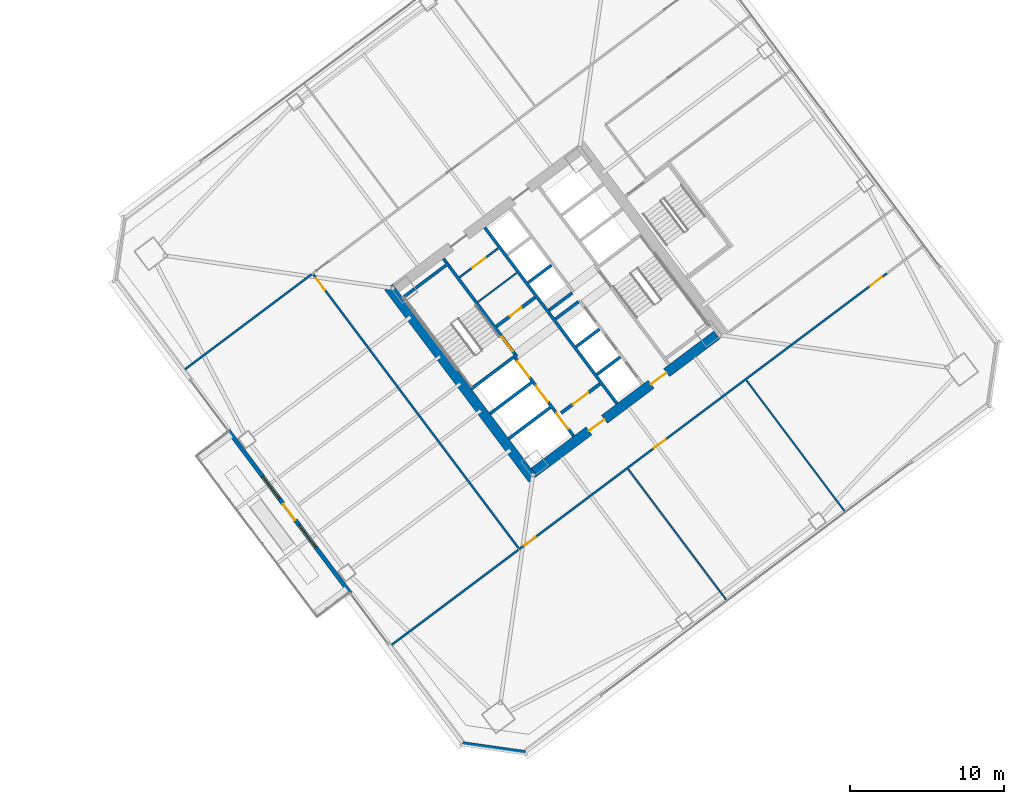
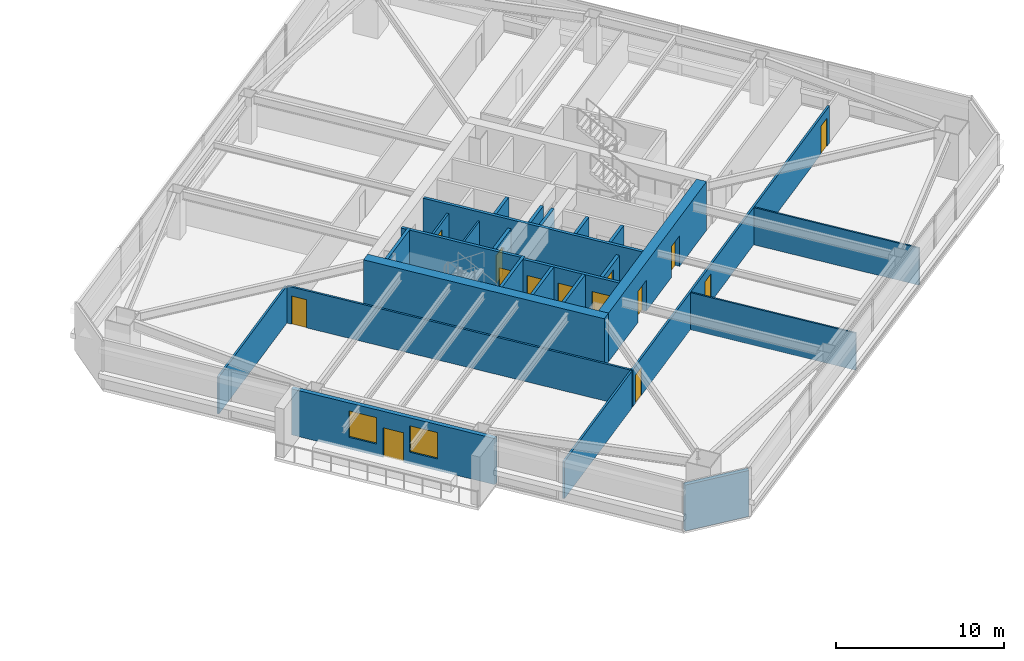
# One storey, part 38 of 48: 26 walls, 14 doors, 2 windows, 16 openings.
"""IFC4 building model written with IfcOpenShell, lengths in metres."""

from ifc_helpers import new_model, si_unit, direction, frame, frame_2d, origin, place, context, subcontext, project, spatial, rectangle, extrude, material, layer, layer_set, type_object, element, fill, save


model = new_model("IFC4")

# Units and contexts
model_context = context("Model", 3, precision=1e-05, world=origin(), true_north=direction((0.0, 1.0)))
body_context = subcontext(model_context, "Body", "Model", "MODEL_VIEW")
ifc_project = project(units=[si_unit("LENGTHUNIT", "METRE"), si_unit("AREAUNIT", "SQUARE_METRE"), si_unit("VOLUMEUNIT", "CUBIC_METRE"), si_unit("PLANEANGLEUNIT", "RADIAN"), si_unit("MASSUNIT", "GRAM", prefix="KILO")], contexts=[model_context])

# Site, building, storey
site_placement = place(None, origin())
site = spatial("IfcSite", under=ifc_project, at=site_placement, CompositionType="ELEMENT")
building_placement = place(site_placement, origin())
building = spatial("IfcBuilding", under=site, at=building_placement, Name="Tashvorn Skyway Center", CompositionType="ELEMENT")
storey_placement = place(building_placement, frame((0.0, 0.0, 56.550048828125)))
storey = spatial("IfcBuildingStorey", under=building, at=storey_placement, Name="L14", CompositionType="ELEMENT", Elevation=56.550048828125)

# Wall
ifc_material_1 = material(Name="Concrete C60/75", Category="concrete")
ifc_layer_1 = layer(ifc_material_1, 0.64990234375)
ifc_layer_set_1 = layer_set([ifc_layer_1], Name="Concrete C60/75")
wall_type_1 = type_object("IfcWallType", Name="WALL-CORE-650", PredefinedType="SHEAR", material=ifc_layer_set_1)
wall_1_placement = place(storey_placement, frame((112.47607421875, 21.10693359375, 0.0), z_axis=(0.0, 0.0, 1.0), x_axis=(-0.600005007985, 0.799996243986, 0.0)))
element("IfcWall", 1, at=wall_1_placement, inside=storey, type_object=wall_type_1, Name="Tower 2 L14 West Core Shear Wall", PredefinedType="SHEAR", context=body_context, shape_type="SweptSolid", body=[
    extrude(rectangle(XDim=15.60009765625, YDim=0.64990234375, at=frame_2d((7.800048828125, 0.0))), origin(), (0.0, 0.0, 1.0), 3.550048828125),
])

# Wall, openings, doors
wall_2_placement = place(storey_placement, frame((124.428955078125, 30.47802734375, 0.0), z_axis=(0.0, 0.0, 1.0), x_axis=(-0.799998028465, -0.600002628705, 0.0)))
wall_2 = element("IfcWall", 2, at=wall_2_placement, inside=storey, type_object=wall_type_1, Name="Tower 2 L14 South Core Shear Wall", PredefinedType="SHEAR", context=body_context, shape_type="SweptSolid", body=[
    extrude(rectangle(XDim=14.85986328125, YDim=0.64990234375, at=frame_2d((7.429931640625, 0.0))), origin(), (0.0, 0.0, 1.0), 3.550048828125),
])
opening_1_placement = place(wall_2_placement, frame((9.1298828125, 0.0, 0.0)))
opening_1 = element("IfcOpeningElement", 3, at=opening_1_placement, cuts=wall_2, Name="Opening D-FFL-1250", PredefinedType="OPENING", context=body_context, shape_type="SweptSolid", body=[
    extrude(rectangle(XDim=1.25, YDim=2.25, at=frame_2d((0.625, 1.125))), frame((0.0, 0.3349609375, 0.0), z_axis=(0.0, -1.0, 0.0), x_axis=(1.0, 0.0, 0.0)), (0.0, 0.0, 1.0), 0.669921875),
])
opening_2_placement = place(wall_2_placement, frame((4.080078125, 0.0, 0.0)))
opening_2 = element("IfcOpeningElement", 4, at=opening_2_placement, cuts=wall_2, Name="Opening D-FFL-1250", PredefinedType="OPENING", context=body_context, shape_type="SweptSolid", body=[
    extrude(rectangle(XDim=1.25, YDim=2.25, at=frame_2d((0.625, 1.125))), frame((0.0, 0.3349609375, 0.0), z_axis=(0.0, -1.0, 0.0), x_axis=(1.0, 0.0, 0.0)), (0.0, 0.0, 1.0), 0.669921875),
])
ifc_material_2 = material(Name="Hollow galvanized steel fire door assembly", Category="steel")
door_type_1 = type_object("IfcDoorType", Name="DOOR-FFL-1250", OperationType="NOTDEFINED", PredefinedType="DOOR", material=ifc_material_2)
door_1_placement = place(opening_1_placement, origin())
door_1 = element("IfcDoor", 5, at=door_1_placement, inside=storey, type_object=door_type_1, Name="Tower 2 L14 Core South Firefighting Exit Door", OperationType="SINGLE_SWING_LEFT", OverallHeight=2.25, OverallWidth=1.25, PredefinedType="DOOR", context=body_context, shape_type="SweptSolid", body=[
    extrude(rectangle(XDim=1.25, YDim=2.25, at=frame_2d((0.625, 1.125))), frame((0.0, 0.02490234375, 0.0), z_axis=(0.0, -1.0, 0.0), x_axis=(1.0, 0.0, 0.0)), (0.0, 0.0, 1.0), 0.050048828125),
])
fill(opening_1, door_1)
door_2_placement = place(opening_2_placement, origin())
door_2 = element("IfcDoor", 6, at=door_2_placement, inside=storey, type_object=door_type_1, Name="Tower 2 L14 Core South Lift Lobby Door", OperationType="SINGLE_SWING_RIGHT", OverallHeight=2.25, OverallWidth=1.25, PredefinedType="DOOR", context=body_context, shape_type="SweptSolid", body=[
    extrude(rectangle(XDim=1.25, YDim=2.25, at=frame_2d((0.625, 1.125))), frame((0.0, 0.02490234375, 0.0), z_axis=(0.0, -1.0, 0.0), x_axis=(1.0, 0.0, 0.0)), (0.0, 0.0, 1.0), 0.050048828125),
])
fill(opening_2, door_2)

# Wall, openings, door, windows
ifc_material_3 = material(Name="Precast concrete C40/50", Category="concrete")
ifc_layer_2 = layer(ifc_material_3, 0.280029296875)
ifc_layer_set_2 = layer_set([ifc_layer_2], Name="Precast concrete C40/50")
wall_type_2 = type_object("IfcWallType", Name="WALL-EXT-280", PredefinedType="SOLIDWALL", material=ifc_layer_set_2)
wall_3_placement = place(storey_placement, frame((100.615966796875, 13.7119140625, 0.0), z_axis=(0.0, 0.0, 1.0), x_axis=(-0.599994081423, 0.800004438899, 0.0)))
wall_3 = element("IfcWall", 7, at=wall_3_placement, inside=storey, type_object=wall_type_2, Name="Tower 2 L14 West Sky Garden Loggia Wall", PredefinedType="SOLIDWALL", context=body_context, shape_type="SweptSolid", body=[
    extrude(rectangle(XDim=13.199951171875, YDim=0.280029296875, at=frame_2d((6.60009765625, 0.0))), origin(), (0.0, 0.0, 1.0), 3.349853515625),
])
opening_3_placement = place(wall_3_placement, frame((5.949951171875, 0.0, 0.0)))
opening_3 = element("IfcOpeningElement", 8, at=opening_3_placement, cuts=wall_3, Name="Opening D-TER-1300", PredefinedType="OPENING", context=body_context, shape_type="SweptSolid", body=[
    extrude(rectangle(XDim=1.300048828125, YDim=2.14990234375, at=frame_2d((0.64990234375, 1.074951171875))), frame((0.0, 0.14990234375, 0.0), z_axis=(0.0, -1.0, 0.0), x_axis=(1.0, 0.0, 0.0)), (0.0, 0.0, 1.0), 0.300048828125),
])
opening_4_placement = place(wall_3_placement, frame((3.73193359375, 0.0, 0.85009765625)))
opening_4 = element("IfcOpeningElement", 9, at=opening_4_placement, cuts=wall_3, Name="Opening WIN-1800", PredefinedType="OPENING", context=body_context, shape_type="SweptSolid", body=[
    extrude(rectangle(XDim=1.800048828125, YDim=1.919921875, at=frame_2d((0.89990234375, 0.9599609375))), frame((0.0, 0.14990234375, 0.0), z_axis=(0.0, -1.0, 0.0), x_axis=(1.0, 0.0, 0.0)), (0.0, 0.0, 1.0), 0.300048828125),
])
opening_5_placement = place(wall_3_placement, frame((7.66796875, 0.0, 0.85009765625)))
opening_5 = element("IfcOpeningElement", 10, at=opening_5_placement, cuts=wall_3, Name="Opening WIN-1800", PredefinedType="OPENING", context=body_context, shape_type="SweptSolid", body=[
    extrude(rectangle(XDim=1.800048828125, YDim=1.919921875, at=frame_2d((0.89990234375, 0.9599609375))), frame((0.0, 0.14990234375, 0.0), z_axis=(0.0, -1.0, 0.0), x_axis=(1.0, 0.0, 0.0)), (0.0, 0.0, 1.0), 0.300048828125),
])
ifc_material_4 = material(Name="Thermally broken bronze-anodized aluminium 6063-T6", Category="aluminium")
door_type_2 = type_object("IfcDoorType", Name="DOOR-TERR-1300", OperationType="NOTDEFINED", PredefinedType="DOOR", material=ifc_material_4)
door_3_placement = place(opening_3_placement, origin())
door_3 = element("IfcDoor", 11, at=door_3_placement, inside=storey, type_object=door_type_2, Name="Tower 2 L14 Sky Garden Access Door", OperationType="SINGLE_SWING_LEFT", OverallHeight=2.14990234375, OverallWidth=1.300048828125, PredefinedType="DOOR", context=body_context, shape_type="SweptSolid", body=[
    extrude(rectangle(XDim=1.300048828125, YDim=2.14990234375, at=frame_2d((0.64990234375, 1.074951171875))), frame((0.0, 0.02490234375, 0.0), z_axis=(0.0, -1.0, 0.0), x_axis=(1.0, 0.0, 0.0)), (0.0, 0.0, 1.0), 0.050048828125),
])
fill(opening_3, door_3)
ifc_material_5 = material(Name="Low-E solar-control double insulating safety glass", Category="glass")
window_type = type_object("IfcWindowType", Name="WIN-TERR-1800", PartitioningType="SINGLE_PANEL", PredefinedType="WINDOW", material=ifc_material_5)
window_1_placement = place(opening_4_placement, origin())
window_1 = element("IfcWindow", 12, at=window_1_placement, inside=storey, type_object=window_type, Name="Tower 2 L14 Sky Garden Window", OverallHeight=1.919921875, OverallWidth=1.800048828125, PartitioningType="SINGLE_PANEL", PredefinedType="WINDOW", context=body_context, shape_type="SweptSolid", body=[
    extrude(rectangle(XDim=1.800048828125, YDim=1.919921875, at=frame_2d((0.89990234375, 0.9599609375))), frame((0.0, 0.030029296875, 0.0), z_axis=(0.0, -1.0, 0.0), x_axis=(1.0, 0.0, 0.0)), (0.0, 0.0, 1.0), 0.06005859375),
])
fill(opening_4, window_1)
window_2_placement = place(opening_5_placement, origin())
window_2 = element("IfcWindow", 13, at=window_2_placement, inside=storey, type_object=window_type, Name="Tower 2 L14 Sky Garden Second Window", OverallHeight=1.919921875, OverallWidth=1.800048828125, PartitioningType="SINGLE_PANEL", PredefinedType="WINDOW", context=body_context, shape_type="SweptSolid", body=[
    extrude(rectangle(XDim=1.800048828125, YDim=1.919921875, at=frame_2d((0.89990234375, 0.9599609375))), frame((0.0, 0.030029296875, 0.0), z_axis=(0.0, -1.0, 0.0), x_axis=(1.0, 0.0, 0.0)), (0.0, 0.0, 1.0), 0.06005859375),
])
fill(opening_5, window_2)

# Wall
wall_4_placement = place(storey_placement, frame((111.97998046875, 3.360107421875, 0.0), z_axis=(0.0, 0.0, 1.0), x_axis=(-0.989955445613, 0.14137968631, 0.0)))
element("IfcWall", 14, at=wall_4_placement, inside=storey, type_object=wall_type_2, Name="Tower 2 L14 SW Precast Chamfer Wall", PredefinedType="SOLIDWALL", context=body_context, shape_type="SweptSolid", body=[
    extrude(rectangle(XDim=4.101318359375, YDim=0.280029296875, at=frame_2d((2.05078125, 0.0))), origin(), (0.0, 0.0, 1.0), 3.349853515625),
])

# Wall, opening, door
ifc_material_6 = material(Name="Concrete C40/50", Category="concrete")
ifc_layer_3 = layer(ifc_material_6, 0.219970703125)
ifc_layer_set_3 = layer_set([ifc_layer_3], Name="Concrete C40/50")
wall_type_3 = type_object("IfcWallType", Name="WALL-FFL-220", PredefinedType="SOLIDWALL", material=ifc_layer_set_3)
wall_5_placement = place(storey_placement, frame((110.10400390625, 31.028076171875, 0.0), z_axis=(0.0, 0.0, 1.0), x_axis=(0.800018601094, 0.59997519774, 0.0)))
wall_5 = element("IfcWall", 15, at=wall_5_placement, inside=storey, type_object=wall_type_3, Name="Tower 2 L14 Firefighting Lobby North Wall", PredefinedType="SOLIDWALL", context=body_context, shape_type="SweptSolid", body=[
    extrude(rectangle(XDim=3.14990234375, YDim=0.219970703125, at=frame_2d((1.574951171875, 0.0))), origin(), (0.0, 0.0, 1.0), 2.702880859375),
])
opening_6_placement = place(wall_5_placement, frame((1.10009765625, 0.0, 0.0)))
opening_6 = element("IfcOpeningElement", 16, at=opening_6_placement, cuts=wall_5, Name="Opening D-RT-950", PredefinedType="OPENING", context=body_context, shape_type="SweptSolid", body=[
    extrude(rectangle(XDim=0.949951171875, YDim=2.050048828125, at=frame_2d((0.47509765625, 1.02490234375))), frame((0.0, 0.119873046875, 0.0), z_axis=(0.0, -1.0, 0.0), x_axis=(1.0, 0.0, 0.0)), (0.0, 0.0, 1.0), 0.239990234375),
])
door_type_3 = type_object("IfcDoorType", Name="DOOR-RATED-950", OperationType="NOTDEFINED", PredefinedType="DOOR", material=ifc_material_2)
door_4_placement = place(opening_6_placement, origin())
door_4 = element("IfcDoor", 17, at=door_4_placement, inside=storey, type_object=door_type_3, Name="Tower 2 L14 Core Linen Store Door", OperationType="SINGLE_SWING_LEFT", OverallHeight=2.050048828125, OverallWidth=0.949951171875, PredefinedType="DOOR", context=body_context, shape_type="SweptSolid", body=[
    extrude(rectangle(XDim=0.949951171875, YDim=2.050048828125, at=frame_2d((0.47509765625, 1.02490234375))), frame((0.0, 0.02490234375, 0.0), z_axis=(0.0, -1.0, 0.0), x_axis=(1.0, 0.0, 0.0)), (0.0, 0.0, 1.0), 0.050048828125),
])
fill(opening_6, door_4)

wall_6_placement = place(storey_placement, frame((114.31591796875, 25.412109375, 0.0), z_axis=(0.0, 0.0, 1.0), x_axis=(0.800018601094, 0.59997519774, 0.0)))
wall_6 = element("IfcWall", 18, at=wall_6_placement, inside=storey, type_object=wall_type_3, Name="Tower 2 L14 Firefighting Lobby South Wall", PredefinedType="SOLIDWALL", context=body_context, shape_type="SweptSolid", body=[
    extrude(rectangle(XDim=3.14990234375, YDim=0.219970703125, at=frame_2d((1.574951171875, 0.0))), origin(), (0.0, 0.0, 1.0), 2.702880859375),
])
opening_7_placement = place(wall_6_placement, frame((0.949951171875, 0.0, 0.0)))
opening_7 = element("IfcOpeningElement", 19, at=opening_7_placement, cuts=wall_6, Name="Opening D-FFL-1250", PredefinedType="OPENING", context=body_context, shape_type="SweptSolid", body=[
    extrude(rectangle(XDim=1.25, YDim=2.25, at=frame_2d((0.625, 1.125))), frame((0.0, 0.119873046875, 0.0), z_axis=(0.0, -1.0, 0.0), x_axis=(1.0, 0.0, 0.0)), (0.0, 0.0, 1.0), 0.239990234375),
])
door_5_placement = place(opening_7_placement, origin())
door_5 = element("IfcDoor", 20, at=door_5_placement, inside=storey, type_object=door_type_1, Name="Tower 2 L14 Firefighting Lobby Egress Door", OperationType="SINGLE_SWING_LEFT", OverallHeight=2.25, OverallWidth=1.25, PredefinedType="DOOR", context=body_context, shape_type="SweptSolid", body=[
    extrude(rectangle(XDim=1.25, YDim=2.25, at=frame_2d((0.625, 1.125))), frame((0.0, 0.02490234375, 0.0), z_axis=(0.0, -1.0, 0.0), x_axis=(1.0, 0.0, 0.0)), (0.0, 0.0, 1.0), 0.050048828125),
])
fill(opening_7, door_5)

# Walls
ifc_material_7 = material(Name="Gypsum board on cold-formed steel stud framing", Category="steel")
ifc_layer_4 = layer(ifc_material_7, 0.110107421875)
ifc_layer_set_4 = layer_set([ifc_layer_4], Name="Gypsum board on cold-formed steel stud framing")
wall_type_4 = type_object("IfcWallType", Name="WALL-PART-110", PredefinedType="PARTITIONING", material=ifc_layer_set_4)
wall_7_placement = place(storey_placement, frame((125.087890625, 13.216064453125, 0.0), z_axis=(0.0, 0.0, 1.0), x_axis=(-0.600003650761, 0.799997261916, 0.0)))
element("IfcWall", 21, at=wall_7_placement, inside=storey, type_object=wall_type_4, Name="Tower 2 L14 South Suite Partition 1", PredefinedType="PARTITIONING", context=body_context, shape_type="SweptSolid", body=[
    extrude(rectangle(XDim=10.69970703125, YDim=0.110107421875, at=frame_2d((5.349853515625, 0.0))), origin(), (0.0, 0.0, 1.0), 2.702880859375),
])
wall_8_placement = place(storey_placement, frame((132.76806640625, 18.97607421875, 0.0), z_axis=(0.0, 0.0, 1.0), x_axis=(-0.600018253432, 0.799986309601, 0.0)))
element("IfcWall", 22, at=wall_8_placement, inside=storey, type_object=wall_type_4, Name="Tower 2 L14 South Suite Partition 2", PredefinedType="PARTITIONING", context=body_context, shape_type="SweptSolid", body=[
    extrude(rectangle(XDim=10.699951171875, YDim=0.110107421875, at=frame_2d((5.35009765625, 0.0))), origin(), (0.0, 0.0, 1.0), 2.702880859375),
])

# Wall, openings, doors
ifc_layer_5 = layer(ifc_material_7, 0.135009765625)
ifc_layer_set_5 = layer_set([ifc_layer_5], Name="Gypsum board on cold-formed steel stud framing")
wall_type_5 = type_object("IfcWallType", Name="WALL-PART-135", PredefinedType="PARTITIONING", material=ifc_layer_set_5)
wall_9_placement = place(storey_placement, frame((135.4599609375, 34.469970703125, 0.0), z_axis=(0.0, 0.0, 1.0), x_axis=(-0.800000982127, -0.599998690494, 0.0)))
wall_9 = element("IfcWall", 23, at=wall_9_placement, inside=storey, type_object=wall_type_5, Name="Tower 2 L14 South Suite Wall", PredefinedType="PARTITIONING", context=body_context, shape_type="SweptSolid", body=[
    extrude(rectangle(XDim=29.830078125, YDim=0.135009765625, at=frame_2d((14.9150390625, 0.0))), origin(), (0.0, 0.0, 1.0), 2.702880859375),
])
opening_8_placement = place(wall_9_placement, frame((28.5, 0.0, 0.0)))
opening_8 = element("IfcOpeningElement", 24, at=opening_8_placement, cuts=wall_9, Name="Opening D-INT-950", PredefinedType="OPENING", context=body_context, shape_type="SweptSolid", body=[
    extrude(rectangle(XDim=0.949951171875, YDim=2.050048828125, at=frame_2d((0.47509765625, 1.02490234375))), frame((0.0, 0.077392578125, 0.0), z_axis=(0.0, -1.0, 0.0), x_axis=(1.0, 0.0, 0.0)), (0.0, 0.0, 1.0), 0.155029296875),
])
opening_9_placement = place(wall_9_placement, frame((17.9384765625, 0.0, 0.0)))
opening_9 = element("IfcOpeningElement", 25, at=opening_9_placement, cuts=wall_9, Name="Opening D-INT-950", PredefinedType="OPENING", context=body_context, shape_type="SweptSolid", body=[
    extrude(rectangle(XDim=0.949951171875, YDim=2.050048828125, at=frame_2d((0.47509765625, 1.02490234375))), frame((0.0, 0.077392578125, 0.0), z_axis=(0.0, -1.0, 0.0), x_axis=(1.0, 0.0, 0.0)), (0.0, 0.0, 1.0), 0.155029296875),
])
opening_10_placement = place(wall_9_placement, frame((0.3798828125, 0.0, 0.0)))
opening_10 = element("IfcOpeningElement", 26, at=opening_10_placement, cuts=wall_9, Name="Opening D-INT-950", PredefinedType="OPENING", context=body_context, shape_type="SweptSolid", body=[
    extrude(rectangle(XDim=0.949951171875, YDim=2.050048828125, at=frame_2d((0.47509765625, 1.02490234375))), frame((0.0, 0.077392578125, 0.0), z_axis=(0.0, -1.0, 0.0), x_axis=(1.0, 0.0, 0.0)), (0.0, 0.0, 1.0), 0.155029296875),
])
ifc_material_8 = material(Name="Solid-core architectural oak veneer door")
door_type_4 = type_object("IfcDoorType", Name="DOOR-INT-950", OperationType="NOTDEFINED", PredefinedType="DOOR", material=ifc_material_8)
door_6_placement = place(opening_8_placement, origin())
door_6 = element("IfcDoor", 27, at=door_6_placement, inside=storey, type_object=door_type_4, Name="Tower 2 L14 Operations Control Room Door", OperationType="SINGLE_SWING_LEFT", OverallHeight=2.050048828125, OverallWidth=0.949951171875, PredefinedType="DOOR", context=body_context, shape_type="SweptSolid", body=[
    extrude(rectangle(XDim=0.949951171875, YDim=2.050048828125, at=frame_2d((0.47509765625, 1.02490234375))), frame((0.0, 0.02490234375, 0.0), z_axis=(0.0, -1.0, 0.0), x_axis=(1.0, 0.0, 0.0)), (0.0, 0.0, 1.0), 0.050048828125),
])
fill(opening_8, door_6)
door_7_placement = place(opening_9_placement, origin())
door_7 = element("IfcDoor", 28, at=door_7_placement, inside=storey, type_object=door_type_4, Name="Tower 2 L14 Catering Pantry Door", OperationType="SINGLE_SWING_RIGHT", OverallHeight=2.050048828125, OverallWidth=0.949951171875, PredefinedType="DOOR", context=body_context, shape_type="SweptSolid", body=[
    extrude(rectangle(XDim=0.949951171875, YDim=2.050048828125, at=frame_2d((0.47509765625, 1.02490234375))), frame((0.0, 0.02490234375, 0.0), z_axis=(0.0, -1.0, 0.0), x_axis=(1.0, 0.0, 0.0)), (0.0, 0.0, 1.0), 0.050048828125),
])
fill(opening_9, door_7)
door_8_placement = place(opening_10_placement, origin())
door_8 = element("IfcDoor", 29, at=door_8_placement, inside=storey, type_object=door_type_4, Name="Tower 2 L14 Catering Pantry Door", OperationType="SINGLE_SWING_LEFT", OverallHeight=2.050048828125, OverallWidth=0.949951171875, PredefinedType="DOOR", context=body_context, shape_type="SweptSolid", body=[
    extrude(rectangle(XDim=0.949951171875, YDim=2.050048828125, at=frame_2d((0.47509765625, 1.02490234375))), frame((0.0, 0.02490234375, 0.0), z_axis=(0.0, -1.0, 0.0), x_axis=(1.0, 0.0, 0.0)), (0.0, 0.0, 1.0), 0.050048828125),
])
fill(opening_10, door_8)

# Wall, opening, door
wall_10_placement = place(storey_placement, frame((111.548095703125, 16.635986328125, 0.0), z_axis=(0.0, 0.0, 1.0), x_axis=(-0.600003517529, 0.799997361841, 0.0)))
wall_10 = element("IfcWall", 30, at=wall_10_placement, inside=storey, type_object=wall_type_5, Name="Tower 2 L14 West Inner Suite Wall", PredefinedType="PARTITIONING", context=body_context, shape_type="SweptSolid", body=[
    extrude(rectangle(XDim=22.210205078125, YDim=0.135009765625, at=frame_2d((11.10498046875, 0.0))), origin(), (0.0, 0.0, 1.0), 2.702880859375),
])
opening_11_placement = place(wall_10_placement, frame((20.9599609375, 0.0, 0.0)))
opening_11 = element("IfcOpeningElement", 31, at=opening_11_placement, cuts=wall_10, Name="Opening D-INT-950", PredefinedType="OPENING", context=body_context, shape_type="SweptSolid", body=[
    extrude(rectangle(XDim=0.949951171875, YDim=2.050048828125, at=frame_2d((0.47509765625, 1.02490234375))), frame((0.0, 0.077392578125, 0.0), z_axis=(0.0, -1.0, 0.0), x_axis=(1.0, 0.0, 0.0)), (0.0, 0.0, 1.0), 0.155029296875),
])
door_9_placement = place(opening_11_placement, origin())
door_9 = element("IfcDoor", 32, at=door_9_placement, inside=storey, type_object=door_type_4, Name="Tower 2 L14 Boardroom Door", OperationType="SINGLE_SWING_RIGHT", OverallHeight=2.050048828125, OverallWidth=0.949951171875, PredefinedType="DOOR", context=body_context, shape_type="SweptSolid", body=[
    extrude(rectangle(XDim=0.949951171875, YDim=2.050048828125, at=frame_2d((0.47509765625, 1.02490234375))), frame((0.0, 0.02490234375, 0.0), z_axis=(0.0, -1.0, 0.0), x_axis=(1.0, 0.0, 0.0)), (0.0, 0.0, 1.0), 0.050048828125),
])
fill(opening_11, door_9)

# Walls
for number, where, z_axis, x_axis, name in (
    (33, (98.110107421875, 34.419921875, 0.0), (0.0, 0.0, 1.0), (-0.80000855794, -0.599988589244, 0.0), "Tower 2 L14 West Suite North Wall"),
    (34, (103.31591796875, 10.362060546875, 0.0), (0.0, 0.0, 1.0), (0.80000855794, 0.599988589244, 0.0), "Tower 2 L14 West Suite South Wall"),
):
    element("IfcWall", number, at=place(storey_placement, frame(where, z_axis=z_axis, x_axis=x_axis)), inside=storey, type_object=wall_type_5, Name=name, PredefinedType="PARTITIONING", context=body_context, shape_type="SweptSolid", body=[
        extrude(rectangle(XDim=10.27001953125, YDim=0.135009765625, at=frame_2d((5.135009765625, 0.0))), origin(), (0.0, 0.0, 1.0), 2.702880859375),
    ])
ifc_layer_6 = layer(ifc_material_7, 0.110107421875)
ifc_layer_set_6 = layer_set([ifc_layer_6], Name="Gypsum board on cold-formed steel stud framing")
wall_type_6 = type_object("IfcWallType", Name="WALL-RATED-110", PredefinedType="PARTITIONING", material=ifc_layer_set_6)
wall_11_placement = place(storey_placement, frame((108.909912109375, 32.6201171875, 0.0), z_axis=(0.0, 0.0, 1.0), x_axis=(0.800018601094, 0.59997519774, 0.0)))
element("IfcWall", 35, at=wall_11_placement, inside=storey, type_object=wall_type_6, Name="Tower 2 L14 Core Transverse Wall", PredefinedType="PARTITIONING", context=body_context, shape_type="SweptSolid", body=[
    extrude(rectangle(XDim=3.14990234375, YDim=0.110107421875, at=frame_2d((1.574951171875, 0.0))), origin(), (0.0, 0.0, 1.0), 2.702880859375),
])

# Wall, opening, door
ifc_layer_7 = layer(ifc_material_7, 0.135009765625)
ifc_layer_set_7 = layer_set([ifc_layer_7], Name="Gypsum board on cold-formed steel stud framing")
wall_type_7 = type_object("IfcWallType", Name="WALL-RATED-135", PredefinedType="PARTITIONING", material=ifc_layer_set_7)
wall_12_placement = place(storey_placement, frame((107.7099609375, 34.219970703125, 0.0), z_axis=(0.0, 0.0, 1.0), x_axis=(0.799981399002, 0.60002480053, 0.0)))
wall_12 = element("IfcWall", 36, at=wall_12_placement, inside=storey, type_object=wall_type_7, Name="Tower 2 L14 Core Service Lobby Wall", PredefinedType="PARTITIONING", context=body_context, shape_type="SweptSolid", body=[
    extrude(rectangle(XDim=3.150146484375, YDim=0.135009765625, at=frame_2d((1.5751953125, 0.0))), origin(), (0.0, 0.0, 1.0), 2.702880859375),
])
opening_12_placement = place(wall_12_placement, frame((1.050048828125, 0.0, 0.0)))
opening_12 = element("IfcOpeningElement", 37, at=opening_12_placement, cuts=wall_12, Name="Opening D-RT-1050", PredefinedType="OPENING", context=body_context, shape_type="SweptSolid", body=[
    extrude(rectangle(XDim=1.050048828125, YDim=2.199951171875, at=frame_2d((0.52490234375, 1.10009765625))), frame((0.0, 0.077392578125, 0.0), z_axis=(0.0, -1.0, 0.0), x_axis=(1.0, 0.0, 0.0)), (0.0, 0.0, 1.0), 0.155029296875),
])
door_type_5 = type_object("IfcDoorType", Name="DOOR-RATED-1050", OperationType="NOTDEFINED", PredefinedType="DOOR", material=ifc_material_2)
door_10_placement = place(opening_12_placement, origin())
door_10 = element("IfcDoor", 38, at=door_10_placement, inside=storey, type_object=door_type_5, Name="Tower 2 L14 Core Accessible WC Door", OperationType="SINGLE_SWING_RIGHT", OverallHeight=2.199951171875, OverallWidth=1.050048828125, PredefinedType="DOOR", context=body_context, shape_type="SweptSolid", body=[
    extrude(rectangle(XDim=1.050048828125, YDim=2.199951171875, at=frame_2d((0.52490234375, 1.10009765625))), frame((0.0, 0.02490234375, 0.0), z_axis=(0.0, -1.0, 0.0), x_axis=(1.0, 0.0, 0.0)), (0.0, 0.0, 1.0), 0.050048828125),
])
fill(opening_12, door_10)

# Walls
ifc_layer_8 = layer(ifc_material_6, 0.199951171875)
ifc_layer_set_8 = layer_set([ifc_layer_8], Name="Concrete C40/50")
wall_type_8 = type_object("IfcWallType", Name="WALL-SHAFT-200", PredefinedType="SOLIDWALL", material=ifc_layer_set_8)
for number, where, z_axis, x_axis, name in (
    (39, (110.906005859375, 23.741943359375, 0.0), (0.0, 0.0, 1.0), (0.8, 0.6, 0.0), "Tower 2 L14 FSAE Shaft Divider"),
    (40, (109.68798828125, 25.365966796875, 0.0), (0.0, 0.0, 1.0), (0.8, 0.6, 0.0), "Tower 2 L14 FSAE Shaft Divider"),
):
    element("IfcWall", number, at=place(storey_placement, frame(where, z_axis=z_axis, x_axis=x_axis)), inside=storey, type_object=wall_type_8, Name=name, PredefinedType="SOLIDWALL", context=body_context, shape_type="SweptSolid", body=[
        extrude(rectangle(XDim=3.380126953125, YDim=0.199951171875, at=frame_2d((1.68994140625, 0.0))), origin(), (0.0, 0.0, 1.0), 3.349853515625),
    ])
wall_13_placement = place(storey_placement, frame((116.64599609375, 27.922119140625, 0.0), z_axis=(0.0, 0.0, 1.0), x_axis=(0.8, 0.6, 0.0)))
element("IfcWall", 41, at=wall_13_placement, inside=storey, type_object=wall_type_8, Name="Tower 2 L14 Low-Rise Shaft Divider", PredefinedType="SOLIDWALL", context=body_context, shape_type="SweptSolid", body=[
    extrude(rectangle(XDim=1.8798828125, YDim=0.199951171875, at=frame_2d((0.93994140625, 0.0))), origin(), (0.0, 0.0, 1.0), 3.349853515625),
])
wall_14_placement = place(storey_placement, frame((115.2958984375, 29.721923828125, 0.0), z_axis=(0.0, 0.0, 1.0), x_axis=(0.799984418148, 0.600020775241, 0.0)))
element("IfcWall", 42, at=wall_14_placement, inside=storey, type_object=wall_type_8, Name="Tower 2 L14 Low-Rise Shaft Divider", PredefinedType="SOLIDWALL", context=body_context, shape_type="SweptSolid", body=[
    extrude(rectangle(XDim=1.880126953125, YDim=0.199951171875, at=frame_2d((0.93994140625, 0.0))), origin(), (0.0, 0.0, 1.0), 3.349853515625),
])
wall_15_placement = place(storey_placement, frame((113.946044921875, 31.52197265625, 0.0), z_axis=(0.0, 0.0, 1.0), x_axis=(0.8, 0.6, 0.0)))
element("IfcWall", 43, at=wall_15_placement, inside=storey, type_object=wall_type_8, Name="Tower 2 L14 Low-Rise Shaft Divider", PredefinedType="SOLIDWALL", context=body_context, shape_type="SweptSolid", body=[
    extrude(rectangle(XDim=1.8798828125, YDim=0.199951171875, at=frame_2d((0.93994140625, 0.0))), origin(), (0.0, 0.0, 1.0), 3.349853515625),
])
wall_16_placement = place(storey_placement, frame((113.52587890625, 32.08203125, 0.0), z_axis=(0.0, 0.0, 1.0), x_axis=(0.800046745961, 0.599937666993, 0.0)))
element("IfcWall", 44, at=wall_16_placement, inside=storey, type_object=wall_type_8, Name="Tower 2 L14 Mid-Rise Shaft Divider", PredefinedType="SOLIDWALL", context=body_context, shape_type="SweptSolid", body=[
    extrude(rectangle(XDim=1.880126953125, YDim=0.199951171875, at=frame_2d((0.93994140625, 0.0))), origin(), (0.0, 0.0, 1.0), 3.349853515625),
])
wall_17_placement = place(storey_placement, frame((112.176025390625, 33.882080078125, 0.0), z_axis=(0.0, 0.0, 1.0), x_axis=(0.8, 0.6, 0.0)))
element("IfcWall", 45, at=wall_17_placement, inside=storey, type_object=wall_type_8, Name="Tower 2 L14 Mid-Rise Shaft Divider", PredefinedType="SOLIDWALL", context=body_context, shape_type="SweptSolid", body=[
    extrude(rectangle(XDim=1.8798828125, YDim=0.199951171875, at=frame_2d((0.93994140625, 0.0))), origin(), (0.0, 0.0, 1.0), 3.349853515625),
])

# Wall, opening, door
ifc_layer_9 = layer(ifc_material_6, 0.199951171875)
ifc_layer_set_9 = layer_set([ifc_layer_9], Name="Concrete C40/50")
wall_type_9 = type_object("IfcWallType", Name="WALL-STSHF-200", PredefinedType="SHEAR", material=ifc_layer_set_9)
wall_18_placement = place(storey_placement, frame((111.43994140625, 29.080078125, 0.0), z_axis=(0.0, 0.0, 1.0), x_axis=(-0.600009827119, 0.799992629566, 0.0)))
wall_18 = element("IfcWall", 46, at=wall_18_placement, inside=storey, type_object=wall_type_9, Name="Tower 2 L14 Stair 1 Enclosure Wall", PredefinedType="SHEAR", context=body_context, shape_type="SweptSolid", body=[
    extrude(rectangle(XDim=7.949951171875, YDim=0.199951171875, at=frame_2d((3.97509765625, 0.0))), origin(), (0.0, 0.0, 1.0), 3.349853515625),
])
opening_13_placement = place(wall_18_placement, frame((0.449951171875, 0.0, 0.0)))
opening_13 = element("IfcOpeningElement", 47, at=opening_13_placement, cuts=wall_18, Name="Opening D-ST-1150", PredefinedType="OPENING", context=body_context, shape_type="SweptSolid", body=[
    extrude(rectangle(XDim=1.14990234375, YDim=2.199951171875, at=frame_2d((0.574951171875, 1.10009765625))), frame((0.0, 0.10986328125, 0.0), z_axis=(0.0, -1.0, 0.0), x_axis=(1.0, 0.0, 0.0)), (0.0, 0.0, 1.0), 0.219970703125),
])
door_type_6 = type_object("IfcDoorType", Name="DOOR-STAIR-1150", OperationType="NOTDEFINED", PredefinedType="DOOR", material=ifc_material_2)
door_11_placement = place(opening_13_placement, origin())
door_11 = element("IfcDoor", 48, at=door_11_placement, inside=storey, type_object=door_type_6, Name="Tower 2 L14 Exit Stair 1 Door", OperationType="SINGLE_SWING_RIGHT", OverallHeight=2.199951171875, OverallWidth=1.14990234375, PredefinedType="DOOR", context=body_context, shape_type="SweptSolid", body=[
    extrude(rectangle(XDim=1.14990234375, YDim=2.199951171875, at=frame_2d((0.574951171875, 1.10009765625))), frame((0.0, 0.02490234375, 0.0), z_axis=(0.0, -1.0, 0.0), x_axis=(1.0, 0.0, 0.0)), (0.0, 0.0, 1.0), 0.050048828125),
])
fill(opening_13, door_11)

# Walls
for number, where, z_axis, x_axis, name in (
    (49, (108.47607421875, 26.98193359375, 0.0), (0.0, 0.0, 1.0), (0.799984290658, 0.600020945218, 0.0), "Tower 2 L14 Stair 1 South Wall"),
    (50, (104.035888671875, 32.902099609375, 0.0), (0.0, 0.0, 1.0), (0.800039270442, 0.59994763584, 0.0), "Tower 2 L14 Stair 1 North Wall"),
):
    element("IfcWall", number, at=place(storey_placement, frame(where, z_axis=z_axis, x_axis=x_axis)), inside=storey, type_object=wall_type_9, Name=name, PredefinedType="SHEAR", context=body_context, shape_type="SweptSolid", body=[
        extrude(rectangle(XDim=3.72998046875, YDim=0.199951171875, at=frame_2d((1.864990234375, 0.0))), origin(), (0.0, 0.0, 1.0), 3.349853515625),
    ])
wall_19_placement = place(storey_placement, frame((117.93798828125, 26.01611328125, 0.0), z_axis=(0.0, 0.0, 1.0), x_axis=(-0.600005463273, 0.799995902516, 0.0)))
element("IfcWall", 51, at=wall_19_placement, inside=storey, type_object=wall_type_9, Name="Tower 2 L14 Firefighting Lobby East Smoke Barrier", PredefinedType="SHEAR", context=body_context, shape_type="SweptSolid", body=[
    extrude(rectangle(XDim=14.300048828125, YDim=0.199951171875, at=frame_2d((7.14990234375, 0.0))), origin(), (0.0, 0.0, 1.0), 3.349853515625),
])

# Wall, openings, doors
wall_20_placement = place(storey_placement, frame((115.1298828125, 23.909912109375, 0.0), z_axis=(0.0, 0.0, 1.0), x_axis=(-0.599975393228, 0.800018454488, 0.0)))
wall_20 = element("IfcWall", 52, at=wall_20_placement, inside=storey, type_object=wall_type_9, Name="Tower 2 L14 FSAE and Goods Shaft Front Wall", PredefinedType="SHEAR", context=body_context, shape_type="SweptSolid", body=[
    extrude(rectangle(XDim=6.349853515625, YDim=0.199951171875, at=frame_2d((3.1748046875, 0.0))), origin(), (0.0, 0.0, 1.0), 3.349853515625),
])
opening_14_placement = place(wall_20_placement, frame((4.77490234375, 0.0, 0.0)))
opening_14 = element("IfcOpeningElement", 53, at=opening_14_placement, cuts=wall_20, Name="Opening LD-FF-T2-1-L14", PredefinedType="OPENING", context=body_context, shape_type="SweptSolid", body=[
    extrude(rectangle(XDim=1.300048828125, YDim=2.25, at=frame_2d((0.64990234375, 1.125))), frame((0.0, 0.10986328125, 0.0), z_axis=(0.0, -1.0, 0.0), x_axis=(1.0, 0.0, 0.0)), (0.0, 0.0, 1.0), 0.219970703125),
])
opening_15_placement = place(wall_20_placement, frame((2.77490234375, 0.0, 0.0)))
opening_15 = element("IfcOpeningElement", 54, at=opening_15_placement, cuts=wall_20, Name="Opening LD-FF-T2-2-L14", PredefinedType="OPENING", context=body_context, shape_type="SweptSolid", body=[
    extrude(rectangle(XDim=1.300048828125, YDim=2.25, at=frame_2d((0.64990234375, 1.125))), frame((0.0, 0.10986328125, 0.0), z_axis=(0.0, -1.0, 0.0), x_axis=(1.0, 0.0, 0.0)), (0.0, 0.0, 1.0), 0.219970703125),
])
opening_16_placement = place(wall_20_placement, frame((0.574951171875, 0.0, 0.0)))
opening_16 = element("IfcOpeningElement", 55, at=opening_16_placement, cuts=wall_20, Name="Opening LD-GD-T2-1-L14", PredefinedType="OPENING", context=body_context, shape_type="SweptSolid", body=[
    extrude(rectangle(XDim=1.300048828125, YDim=2.25, at=frame_2d((0.64990234375, 1.125))), frame((0.0, 0.10986328125, 0.0), z_axis=(0.0, -1.0, 0.0), x_axis=(1.0, 0.0, 0.0)), (0.0, 0.0, 1.0), 0.219970703125),
])
ifc_material_9 = material(Name="Stainless steel heavy-duty landing door", Category="steel")
door_type_7 = type_object("IfcDoorType", Name="DOOR-LIFT-1300", OperationType="SLIDING_TO_LEFT", PredefinedType="DOOR", material=ifc_material_9)
door_12_placement = place(opening_14_placement, origin())
door_12 = element("IfcDoor", 56, at=door_12_placement, inside=storey, type_object=door_type_7, Name="Lift FF-T2-1 L14 Landing Door", OperationType="SLIDING_TO_LEFT", OverallHeight=2.25, OverallWidth=1.300048828125, PredefinedType="DOOR", context=body_context, shape_type="SweptSolid", body=[
    extrude(rectangle(XDim=1.300048828125, YDim=2.25, at=frame_2d((0.64990234375, 1.125))), frame((0.0, 0.02490234375, 0.0), z_axis=(0.0, -1.0, 0.0), x_axis=(1.0, 0.0, 0.0)), (0.0, 0.0, 1.0), 0.050048828125),
])
fill(opening_14, door_12)
door_13_placement = place(opening_15_placement, origin())
door_13 = element("IfcDoor", 57, at=door_13_placement, inside=storey, type_object=door_type_7, Name="Lift FF-T2-2 L14 Landing Door", OperationType="SLIDING_TO_LEFT", OverallHeight=2.25, OverallWidth=1.300048828125, PredefinedType="DOOR", context=body_context, shape_type="SweptSolid", body=[
    extrude(rectangle(XDim=1.300048828125, YDim=2.25, at=frame_2d((0.64990234375, 1.125))), frame((0.0, 0.02490234375, 0.0), z_axis=(0.0, -1.0, 0.0), x_axis=(1.0, 0.0, 0.0)), (0.0, 0.0, 1.0), 0.050048828125),
])
fill(opening_15, door_13)
door_14_placement = place(opening_16_placement, origin())
door_14 = element("IfcDoor", 58, at=door_14_placement, inside=storey, type_object=door_type_7, Name="Lift GD-T2-1 L14 Landing Door", OperationType="SLIDING_TO_LEFT", OverallHeight=2.25, OverallWidth=1.300048828125, PredefinedType="DOOR", context=body_context, shape_type="SweptSolid", body=[
    extrude(rectangle(XDim=1.300048828125, YDim=2.25, at=frame_2d((0.64990234375, 1.125))), frame((0.0, 0.02490234375, 0.0), z_axis=(0.0, -1.0, 0.0), x_axis=(1.0, 0.0, 0.0)), (0.0, 0.0, 1.0), 0.050048828125),
])
fill(opening_16, door_14)

save(model, "model.ifc")
